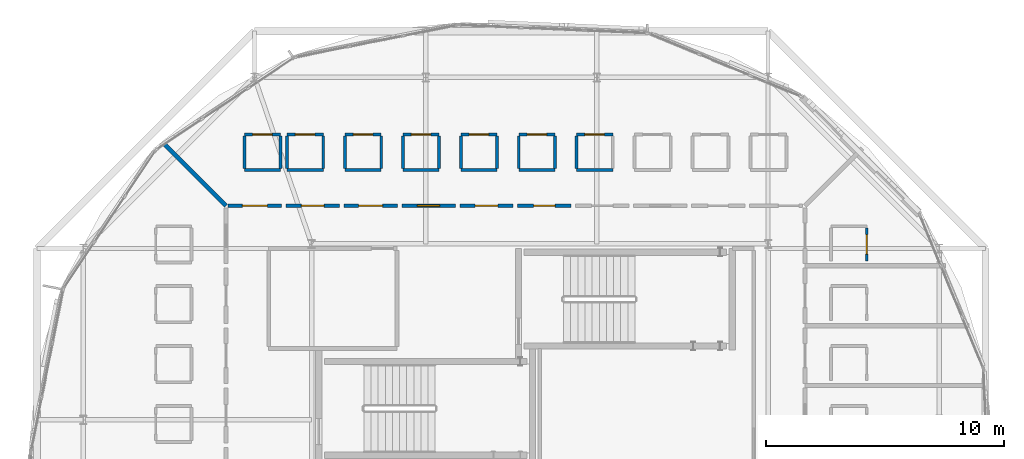
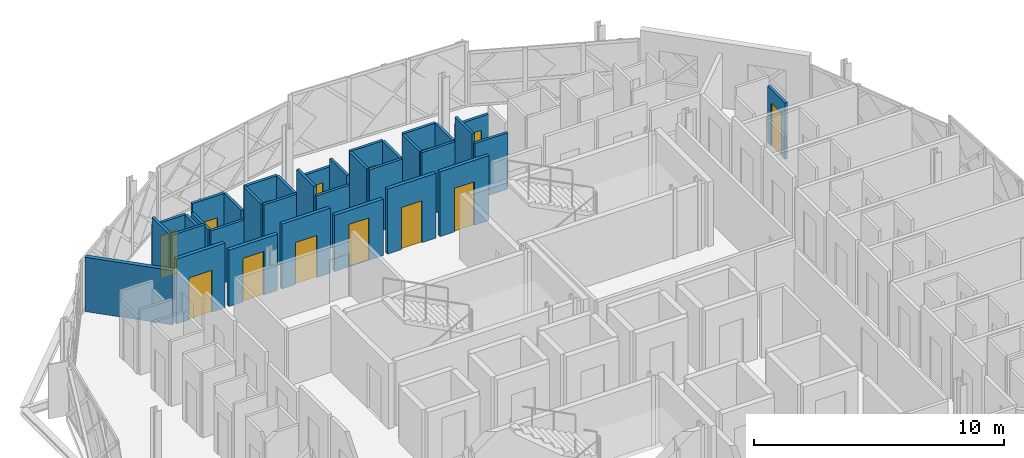
# One storey, part 18 of 24: 35 walls, 14 doors, 14 openings.
"""IFC4 building model written with IfcOpenShell, lengths in metres."""

from ifc_helpers import new_model, si_unit, direction, frame, frame_2d, origin, place, context, subcontext, project, spatial, rectangle, extrude, material, layer, layer_set, type_object, element, fill, save


model = new_model("IFC4")

# Units and contexts
model_context = context("Model", 3, precision=1e-05, world=origin(), true_north=direction((0.0, 1.0)))
body_context = subcontext(model_context, "Body", "Model", "MODEL_VIEW")
ifc_project = project(units=[si_unit("LENGTHUNIT", "METRE"), si_unit("AREAUNIT", "SQUARE_METRE"), si_unit("VOLUMEUNIT", "CUBIC_METRE"), si_unit("PLANEANGLEUNIT", "RADIAN"), si_unit("MASSUNIT", "GRAM", prefix="KILO")], contexts=[model_context])

# Site, building, storey
site_placement = place(None, origin())
site = spatial("IfcSite", under=ifc_project, at=site_placement, CompositionType="ELEMENT")
building_placement = place(site_placement, origin())
building = spatial("IfcBuilding", under=site, at=building_placement, Name="Zevrakil Square Congress Hotel", CompositionType="ELEMENT")
storey_placement = place(building_placement, frame((0.0, 0.0, 35.10009765625)))
storey = spatial("IfcBuildingStorey", under=building, at=storey_placement, Name="L10", CompositionType="ELEMENT", Elevation=35.10009765625)

# Wall, opening, door
ifc_material_1 = material(Name="Gypsum Acoustic Stud Partition")
ifc_layer_1 = layer(ifc_material_1, 0.159912109375)
ifc_layer_set_1 = layer_set([ifc_layer_1], Name="Gypsum Acoustic Stud Partition")
wall_type_1 = type_object("IfcWallType", Name="WAL-CORR-160", PredefinedType="PARTITIONING", material=ifc_layer_set_1)
wall_1_placement = place(storey_placement, frame((145.469970703125, 40.199951171875, 0.0), z_axis=(0.0, 0.0, 1.0), x_axis=(1.0, 0.0, 0.0)))
wall_1 = element("IfcWall", 1, at=wall_1_placement, inside=storey, type_object=wall_type_1, Name="L10 interior partition PW-L10-1696", PredefinedType="PARTITIONING", context=body_context, shape_type="SweptSolid", body=[
    extrude(rectangle(XDim=2.2451171875, YDim=0.159912109375, at=frame_2d((1.12255859375, 0.0))), origin(), (0.0, 0.0, 1.0), 3.164794921875),
])
opening_1_placement = place(wall_1_placement, frame((0.66650390625, 0.0, 0.0)))
opening_1 = element("IfcOpeningElement", 2, at=opening_1_placement, cuts=wall_1, Name="Opening ID-H06", PredefinedType="OPENING", context=body_context, shape_type="SweptSolid", body=[
    extrude(rectangle(XDim=0.912109375, YDim=2.1298828125, at=frame_2d((0.4560546875, 1.06494140625))), frame((0.0, 0.08984375, 0.0), z_axis=(0.0, -1.0, 0.0), x_axis=(1.0, 0.0, 0.0)), (0.0, 0.0, 1.0), 0.179931640625),
])
ifc_material_2 = material(Name="Acoustic Timber Fire Door", Category="wood")
door_type_1 = type_object("IfcDoorType", Name="DOR-INT-H06", OperationType="NOTDEFINED", PredefinedType="DOOR", material=ifc_material_2)
door_1_placement = place(opening_1_placement, origin())
door_1 = element("IfcDoor", 3, at=door_1_placement, inside=storey, type_object=door_type_1, Name="L10 interior door 659", OperationType="SINGLE_SWING_LEFT", OverallHeight=2.1298828125, OverallWidth=0.912109375, PredefinedType="DOOR", context=body_context, shape_type="SweptSolid", body=[
    extrude(rectangle(XDim=0.912109375, YDim=2.1298828125, at=frame_2d((0.4560546875, 1.06494140625))), frame((0.0, 0.02490234375, 0.0), z_axis=(0.0, -1.0, 0.0), x_axis=(1.0, 0.0, 0.0)), (0.0, 0.0, 1.0), 0.050048828125),
])
fill(opening_1, door_1)

wall_2_placement = place(storey_placement, frame((143.034912109375, 40.199951171875, 0.0), z_axis=(0.0, 0.0, 1.0), x_axis=(1.0, 0.0, 0.0)))
wall_2 = element("IfcWall", 4, at=wall_2_placement, inside=storey, type_object=wall_type_1, Name="L10 interior partition PW-L10-1701", PredefinedType="PARTITIONING", context=body_context, shape_type="SweptSolid", body=[
    extrude(rectangle(XDim=2.2451171875, YDim=0.159912109375, at=frame_2d((1.12255859375, 0.0))), origin(), (0.0, 0.0, 1.0), 3.164794921875),
])
opening_2_placement = place(wall_2_placement, frame((0.64501953125, 0.0, 0.0)))
opening_2 = element("IfcOpeningElement", 5, at=opening_2_placement, cuts=wall_2, Name="Opening ID-G05", PredefinedType="OPENING", context=body_context, shape_type="SweptSolid", body=[
    extrude(rectangle(XDim=0.955078125, YDim=2.050048828125, at=frame_2d((0.4775390625, 1.02490234375))), frame((0.0, 0.08984375, 0.0), z_axis=(0.0, -1.0, 0.0), x_axis=(1.0, 0.0, 0.0)), (0.0, 0.0, 1.0), 0.179931640625),
])
ifc_material_3 = material(Name="Acoustic Timber Fire Door", Category="wood")
door_type_2 = type_object("IfcDoorType", Name="DOR-INT-G05", OperationType="NOTDEFINED", PredefinedType="DOOR", material=ifc_material_3)
door_2_placement = place(opening_2_placement, origin())
door_2 = element("IfcDoor", 6, at=door_2_placement, inside=storey, type_object=door_type_2, Name="L10 interior door 661", OperationType="SINGLE_SWING_LEFT", OverallHeight=2.050048828125, OverallWidth=0.955078125, PredefinedType="DOOR", context=body_context, shape_type="SweptSolid", body=[
    extrude(rectangle(XDim=0.955078125, YDim=2.050048828125, at=frame_2d((0.4775390625, 1.02490234375))), frame((0.0, 0.02490234375, 0.0), z_axis=(0.0, -1.0, 0.0), x_axis=(1.0, 0.0, 0.0)), (0.0, 0.0, 1.0), 0.050048828125),
])
fill(opening_2, door_2)

wall_3_placement = place(storey_placement, frame((140.60009765625, 40.199951171875, 0.0), z_axis=(0.0, 0.0, 1.0), x_axis=(1.0, 0.0, 0.0)))
wall_3 = element("IfcWall", 7, at=wall_3_placement, inside=storey, type_object=wall_type_1, Name="L10 interior partition PW-L10-1706", PredefinedType="PARTITIONING", context=body_context, shape_type="SweptSolid", body=[
    extrude(rectangle(XDim=2.244873046875, YDim=0.159912109375, at=frame_2d((1.12255859375, 0.0))), origin(), (0.0, 0.0, 1.0), 2.75),
])
opening_3_placement = place(wall_3_placement, frame((0.654541015625, 0.0, 0.0)))
opening_3 = element("IfcOpeningElement", 8, at=opening_3_placement, cuts=wall_3, Name="Opening ID-H08", PredefinedType="OPENING", context=body_context, shape_type="SweptSolid", body=[
    extrude(rectangle(XDim=0.93603515625, YDim=2.070068359375, at=frame_2d((0.468017578125, 1.03515625))), frame((0.0, 0.08984375, 0.0), z_axis=(0.0, -1.0, 0.0), x_axis=(1.0, 0.0, 0.0)), (0.0, 0.0, 1.0), 0.179931640625),
])
ifc_material_4 = material(Name="Acoustic Timber Fire Door", Category="wood")
door_type_3 = type_object("IfcDoorType", Name="DOR-INT-H08", OperationType="NOTDEFINED", PredefinedType="DOOR", material=ifc_material_4)
door_3_placement = place(opening_3_placement, origin())
door_3 = element("IfcDoor", 9, at=door_3_placement, inside=storey, type_object=door_type_3, Name="L10 interior door 663", OperationType="SINGLE_SWING_LEFT", OverallHeight=2.070068359375, OverallWidth=0.93603515625, PredefinedType="DOOR", context=body_context, shape_type="SweptSolid", body=[
    extrude(rectangle(XDim=0.93603515625, YDim=2.070068359375, at=frame_2d((0.468017578125, 1.03515625))), frame((0.0, 0.02490234375, 0.0), z_axis=(0.0, -1.0, 0.0), x_axis=(1.0, 0.0, 0.0)), (0.0, 0.0, 1.0), 0.050048828125),
])
fill(opening_3, door_3)

wall_4_placement = place(storey_placement, frame((138.1650390625, 40.199951171875, 0.0), z_axis=(0.0, 0.0, 1.0), x_axis=(1.0, 0.0, 0.0)))
wall_4 = element("IfcWall", 10, at=wall_4_placement, inside=storey, type_object=wall_type_1, Name="L10 interior partition PW-L10-1711", PredefinedType="PARTITIONING", context=body_context, shape_type="SweptSolid", body=[
    extrude(rectangle(XDim=2.244873046875, YDim=0.159912109375, at=frame_2d((1.12255859375, 0.0))), origin(), (0.0, 0.0, 1.0), 3.164794921875),
])
opening_4_placement = place(wall_4_placement, frame((0.6201171875, 0.0, 0.0)))
opening_4 = element("IfcOpeningElement", 11, at=opening_4_placement, cuts=wall_4, Name="Opening ID-G07", PredefinedType="OPENING", context=body_context, shape_type="SweptSolid", body=[
    extrude(rectangle(XDim=1.0048828125, YDim=2.050048828125, at=frame_2d((0.50244140625, 1.02490234375))), frame((0.0, 0.08984375, 0.0), z_axis=(0.0, -1.0, 0.0), x_axis=(1.0, 0.0, 0.0)), (0.0, 0.0, 1.0), 0.179931640625),
])
ifc_material_5 = material(Name="Acoustic Timber Fire Door", Category="wood")
door_type_4 = type_object("IfcDoorType", Name="DOR-INT-G07", OperationType="NOTDEFINED", PredefinedType="DOOR", material=ifc_material_5)
door_4_placement = place(opening_4_placement, origin())
door_4 = element("IfcDoor", 12, at=door_4_placement, inside=storey, type_object=door_type_4, Name="L10 interior door 665", OperationType="SINGLE_SWING_LEFT", OverallHeight=2.050048828125, OverallWidth=1.0048828125, PredefinedType="DOOR", context=body_context, shape_type="SweptSolid", body=[
    extrude(rectangle(XDim=1.0048828125, YDim=2.050048828125, at=frame_2d((0.50244140625, 1.02490234375))), frame((0.0, 0.02490234375, 0.0), z_axis=(0.0, -1.0, 0.0), x_axis=(1.0, 0.0, 0.0)), (0.0, 0.0, 1.0), 0.050048828125),
])
fill(opening_4, door_4)

wall_5_placement = place(storey_placement, frame((135.72998046875, 40.199951171875, 0.0), z_axis=(0.0, 0.0, 1.0), x_axis=(1.0, 0.0, 0.0)))
wall_5 = element("IfcWall", 13, at=wall_5_placement, inside=storey, type_object=wall_type_1, Name="L10 interior partition PW-L10-1716", PredefinedType="PARTITIONING", context=body_context, shape_type="SweptSolid", body=[
    extrude(rectangle(XDim=2.2451171875, YDim=0.159912109375, at=frame_2d((1.12255859375, 0.0))), origin(), (0.0, 0.0, 1.0), 2.75),
])
opening_5_placement = place(wall_5_placement, frame((0.642578125, 0.0, 0.0)))
opening_5 = element("IfcOpeningElement", 14, at=opening_5_placement, cuts=wall_5, Name="Opening ID-H10", PredefinedType="OPENING", context=body_context, shape_type="SweptSolid", body=[
    extrude(rectangle(XDim=0.9599609375, YDim=2.1298828125, at=frame_2d((0.47998046875, 1.06494140625))), frame((0.0, 0.08984375, 0.0), z_axis=(0.0, -1.0, 0.0), x_axis=(1.0, 0.0, 0.0)), (0.0, 0.0, 1.0), 0.179931640625),
])
ifc_material_6 = material(Name="Acoustic Timber Fire Door", Category="wood")
door_type_5 = type_object("IfcDoorType", Name="DOR-INT-H10", OperationType="NOTDEFINED", PredefinedType="DOOR", material=ifc_material_6)
door_5_placement = place(opening_5_placement, origin())
door_5 = element("IfcDoor", 15, at=door_5_placement, inside=storey, type_object=door_type_5, Name="L10 interior door 667", OperationType="SINGLE_SWING_LEFT", OverallHeight=2.1298828125, OverallWidth=0.9599609375, PredefinedType="DOOR", context=body_context, shape_type="SweptSolid", body=[
    extrude(rectangle(XDim=0.9599609375, YDim=2.1298828125, at=frame_2d((0.47998046875, 1.06494140625))), frame((0.0, 0.02490234375, 0.0), z_axis=(0.0, -1.0, 0.0), x_axis=(1.0, 0.0, 0.0)), (0.0, 0.0, 1.0), 0.050048828125),
])
fill(opening_5, door_5)

wall_6_placement = place(storey_placement, frame((133.294921875, 40.199951171875, 0.0), z_axis=(0.0, 0.0, 1.0), x_axis=(1.0, 0.0, 0.0)))
wall_6 = element("IfcWall", 16, at=wall_6_placement, inside=storey, type_object=wall_type_1, Name="L10 interior partition PW-L10-1721", PredefinedType="PARTITIONING", context=body_context, shape_type="SweptSolid", body=[
    extrude(rectangle(XDim=2.2451171875, YDim=0.159912109375, at=frame_2d((1.12255859375, 0.0))), origin(), (0.0, 0.0, 1.0), 3.164794921875),
])
opening_6_placement = place(wall_6_placement, frame((0.594970703125, 0.0, 0.0)))
opening_6 = element("IfcOpeningElement", 17, at=opening_6_placement, cuts=wall_6, Name="Opening ID-G09", PredefinedType="OPENING", context=body_context, shape_type="SweptSolid", body=[
    extrude(rectangle(XDim=1.054931640625, YDim=2.050048828125, at=frame_2d((0.52734375, 1.02490234375))), frame((0.0, 0.08984375, 0.0), z_axis=(0.0, -1.0, 0.0), x_axis=(1.0, 0.0, 0.0)), (0.0, 0.0, 1.0), 0.179931640625),
])
ifc_material_7 = material(Name="Acoustic Timber Fire Door", Category="wood")
door_type_6 = type_object("IfcDoorType", Name="DOR-INT-G09", OperationType="NOTDEFINED", PredefinedType="DOOR", material=ifc_material_7)
door_6_placement = place(opening_6_placement, origin())
door_6 = element("IfcDoor", 18, at=door_6_placement, inside=storey, type_object=door_type_6, Name="L10 interior door 669", OperationType="SINGLE_SWING_LEFT", OverallHeight=2.050048828125, OverallWidth=1.054931640625, PredefinedType="DOOR", context=body_context, shape_type="SweptSolid", body=[
    extrude(rectangle(XDim=1.054931640625, YDim=2.050048828125, at=frame_2d((0.52734375, 1.02490234375))), frame((0.0, 0.02490234375, 0.0), z_axis=(0.0, -1.0, 0.0), x_axis=(1.0, 0.0, 0.0)), (0.0, 0.0, 1.0), 0.050048828125),
])
fill(opening_6, door_6)

ifc_material_8 = material(Name="Moisture-Resistant Gypsum Partition")
ifc_layer_2 = layer(ifc_material_8, 0.1201171875)
ifc_layer_set_2 = layer_set([ifc_layer_2], Name="Moisture-Resistant Gypsum Partition")
wall_type_2 = type_object("IfcWallType", Name="WAL-ENS-120", PredefinedType="PARTITIONING", material=ifc_layer_set_2)
wall_7_placement = place(storey_placement, frame((160.14990234375, 37.885009765625, 0.0), z_axis=(0.0, 0.0, 1.0), x_axis=(0.0, 1.0, 0.0)))
wall_7 = element("IfcWall", 19, at=wall_7_placement, inside=storey, type_object=wall_type_2, Name="L10 interior partition PW-L10-1674", PredefinedType="PARTITIONING", context=body_context, shape_type="SweptSolid", body=[
    extrude(rectangle(XDim=1.389892578125, YDim=0.1201171875, at=frame_2d((0.69482421875, 0.0))), origin(), (0.0, 0.0, 1.0), 2.75),
])
opening_7_placement = place(wall_7_placement, frame((0.284912109375, 0.0, 0.0)))
opening_7 = element("IfcOpeningElement", 20, at=opening_7_placement, cuts=wall_7, Name="Opening ID-11", PredefinedType="OPENING", context=body_context, shape_type="SweptSolid", body=[
    extrude(rectangle(XDim=0.820068359375, YDim=2.080078125, at=frame_2d((0.41015625, 1.0400390625))), frame((0.0, 0.070068359375, 0.0), z_axis=(0.0, -1.0, 0.0), x_axis=(1.0, 0.0, 0.0)), (0.0, 0.0, 1.0), 0.14013671875),
])
ifc_material_9 = material(Name="Acoustic Timber Door", Category="wood")
door_type_7 = type_object("IfcDoorType", Name="DOR-INT-V01", OperationType="NOTDEFINED", PredefinedType="DOOR", material=ifc_material_9)
door_7_placement = place(opening_7_placement, origin())
door_7 = element("IfcDoor", 21, at=door_7_placement, inside=storey, type_object=door_type_7, Name="L10 interior door 650", OperationType="SINGLE_SWING_RIGHT", OverallHeight=2.080078125, OverallWidth=0.820068359375, PredefinedType="DOOR", context=body_context, shape_type="SweptSolid", body=[
    extrude(rectangle(XDim=0.820068359375, YDim=2.080078125, at=frame_2d((0.41015625, 1.0400390625))), frame((0.0, 0.02490234375, 0.0), z_axis=(0.0, -1.0, 0.0), x_axis=(1.0, 0.0, 0.0)), (0.0, 0.0, 1.0), 0.050048828125),
])
fill(opening_7, door_7)

# Wall
wall_8_placement = place(storey_placement, frame((147.949951171875, 41.699951171875, 0.0), z_axis=(0.0, 0.0, 1.0), x_axis=(1.0, 0.0, 0.0)))
element("IfcWall", 22, at=wall_8_placement, inside=storey, type_object=wall_type_2, Name="L10 interior partition PW-L10-1692", PredefinedType="PARTITIONING", context=body_context, shape_type="SweptSolid", body=[
    extrude(rectangle(XDim=1.52001953125, YDim=0.1201171875, at=frame_2d((0.760009765625, 0.0))), origin(), (0.0, 0.0, 1.0), 2.75),
])

# Wall, opening, door
wall_9_placement = place(storey_placement, frame((147.949951171875, 43.199951171875, 0.0), z_axis=(0.0, 0.0, 1.0), x_axis=(1.0, 0.0, 0.0)))
wall_9 = element("IfcWall", 23, at=wall_9_placement, inside=storey, type_object=wall_type_2, Name="L10 interior partition PW-L10-1693", PredefinedType="PARTITIONING", context=body_context, shape_type="SweptSolid", body=[
    extrude(rectangle(XDim=1.52001953125, YDim=0.1201171875, at=frame_2d((0.760009765625, 0.0))), origin(), (0.0, 0.0, 1.0), 2.75),
])
opening_8_placement = place(wall_9_placement, frame((0.35009765625, 0.0, 0.0)))
opening_8 = element("IfcOpeningElement", 24, at=opening_8_placement, cuts=wall_9, Name="Opening ID-11", PredefinedType="OPENING", context=body_context, shape_type="SweptSolid", body=[
    extrude(rectangle(XDim=0.820068359375, YDim=2.080078125, at=frame_2d((0.41015625, 1.0400390625))), frame((0.0, 0.070068359375, 0.0), z_axis=(0.0, -1.0, 0.0), x_axis=(1.0, 0.0, 0.0)), (0.0, 0.0, 1.0), 0.14013671875),
])
door_8_placement = place(opening_8_placement, origin())
door_8 = element("IfcDoor", 25, at=door_8_placement, inside=storey, type_object=door_type_7, Name="L10 interior door 658", OperationType="SINGLE_SWING_RIGHT", OverallHeight=2.080078125, OverallWidth=0.820068359375, PredefinedType="DOOR", context=body_context, shape_type="SweptSolid", body=[
    extrude(rectangle(XDim=0.820068359375, YDim=2.080078125, at=frame_2d((0.41015625, 1.0400390625))), frame((0.0, 0.02490234375, 0.0), z_axis=(0.0, -1.0, 0.0), x_axis=(1.0, 0.0, 0.0)), (0.0, 0.0, 1.0), 0.050048828125),
])
fill(opening_8, door_8)

# Walls
wall_10_placement = place(storey_placement, frame((147.949951171875, 41.764892578125, 0.0), z_axis=(0.0, 0.0, 1.0), x_axis=(0.0, 1.0, 0.0)))
element("IfcWall", 26, at=wall_10_placement, inside=storey, type_object=wall_type_2, Name="L10 interior partition PW-L10-1694", PredefinedType="PARTITIONING", context=body_context, shape_type="SweptSolid", body=[
    extrude(rectangle(XDim=1.3701171875, YDim=0.1201171875, at=frame_2d((0.68505859375, 0.0))), origin(), (0.0, 0.0, 1.0), 3.164794921875),
])
wall_11_placement = place(storey_placement, frame((145.514892578125, 41.699951171875, 0.0), z_axis=(0.0, 0.0, 1.0), x_axis=(1.0, 0.0, 0.0)))
element("IfcWall", 27, at=wall_11_placement, inside=storey, type_object=wall_type_2, Name="L10 interior partition PW-L10-1697", PredefinedType="PARTITIONING", context=body_context, shape_type="SweptSolid", body=[
    extrude(rectangle(XDim=1.52001953125, YDim=0.1201171875, at=frame_2d((0.760009765625, 0.0))), origin(), (0.0, 0.0, 1.0), 3.164794921875),
])

# Wall, opening, door
wall_12_placement = place(storey_placement, frame((145.514892578125, 43.199951171875, 0.0), z_axis=(0.0, 0.0, 1.0), x_axis=(1.0, 0.0, 0.0)))
wall_12 = element("IfcWall", 28, at=wall_12_placement, inside=storey, type_object=wall_type_2, Name="L10 interior partition PW-L10-1698", PredefinedType="PARTITIONING", context=body_context, shape_type="SweptSolid", body=[
    extrude(rectangle(XDim=1.52001953125, YDim=0.1201171875, at=frame_2d((0.760009765625, 0.0))), origin(), (0.0, 0.0, 1.0), 3.164794921875),
])
opening_9_placement = place(wall_12_placement, frame((0.35009765625, 0.0, 0.0)))
opening_9 = element("IfcOpeningElement", 29, at=opening_9_placement, cuts=wall_12, Name="Opening ID-11", PredefinedType="OPENING", context=body_context, shape_type="SweptSolid", body=[
    extrude(rectangle(XDim=0.820068359375, YDim=2.080078125, at=frame_2d((0.41015625, 1.0400390625))), frame((0.0, 0.070068359375, 0.0), z_axis=(0.0, -1.0, 0.0), x_axis=(1.0, 0.0, 0.0)), (0.0, 0.0, 1.0), 0.14013671875),
])
door_9_placement = place(opening_9_placement, origin())
door_9 = element("IfcDoor", 30, at=door_9_placement, inside=storey, type_object=door_type_7, Name="L10 interior door 660", OperationType="SINGLE_SWING_RIGHT", OverallHeight=2.080078125, OverallWidth=0.820068359375, PredefinedType="DOOR", context=body_context, shape_type="SweptSolid", body=[
    extrude(rectangle(XDim=0.820068359375, YDim=2.080078125, at=frame_2d((0.41015625, 1.0400390625))), frame((0.0, 0.02490234375, 0.0), z_axis=(0.0, -1.0, 0.0), x_axis=(1.0, 0.0, 0.0)), (0.0, 0.0, 1.0), 0.050048828125),
])
fill(opening_9, door_9)

# Walls
for number, where, z_axis, x_axis, name in (
    (31, (145.514892578125, 41.764892578125, 0.0), (0.0, 0.0, 1.0), (0.0, 1.0, 0.0), "L10 interior partition PW-L10-1699"),
    (32, (147.034912109375, 41.764892578125, 0.0), (0.0, 0.0, 1.0), (0.0, 1.0, 0.0), "L10 interior partition PW-L10-1700"),
):
    element("IfcWall", number, at=place(storey_placement, frame(where, z_axis=z_axis, x_axis=x_axis)), inside=storey, type_object=wall_type_2, Name=name, PredefinedType="PARTITIONING", context=body_context, shape_type="SweptSolid", body=[
        extrude(rectangle(XDim=1.3701171875, YDim=0.1201171875, at=frame_2d((0.68505859375, 0.0))), origin(), (0.0, 0.0, 1.0), 3.164794921875),
    ])
wall_13_placement = place(storey_placement, frame((143.080078125, 41.699951171875, 0.0), z_axis=(0.0, 0.0, 1.0), x_axis=(1.0, 0.0, 0.0)))
element("IfcWall", 33, at=wall_13_placement, inside=storey, type_object=wall_type_2, Name="L10 interior partition PW-L10-1702", PredefinedType="PARTITIONING", context=body_context, shape_type="SweptSolid", body=[
    extrude(rectangle(XDim=1.52001953125, YDim=0.1201171875, at=frame_2d((0.760009765625, 0.0))), origin(), (0.0, 0.0, 1.0), 3.164794921875),
])

# Wall, opening, door
wall_14_placement = place(storey_placement, frame((143.080078125, 43.199951171875, 0.0), z_axis=(0.0, 0.0, 1.0), x_axis=(1.0, 0.0, 0.0)))
wall_14 = element("IfcWall", 34, at=wall_14_placement, inside=storey, type_object=wall_type_2, Name="L10 interior partition PW-L10-1703", PredefinedType="PARTITIONING", context=body_context, shape_type="SweptSolid", body=[
    extrude(rectangle(XDim=1.52001953125, YDim=0.1201171875, at=frame_2d((0.760009765625, 0.0))), origin(), (0.0, 0.0, 1.0), 3.164794921875),
])
opening_10_placement = place(wall_14_placement, frame((0.35009765625, 0.0, 0.0)))
opening_10 = element("IfcOpeningElement", 35, at=opening_10_placement, cuts=wall_14, Name="Opening ID-11", PredefinedType="OPENING", context=body_context, shape_type="SweptSolid", body=[
    extrude(rectangle(XDim=0.820068359375, YDim=2.080078125, at=frame_2d((0.41015625, 1.0400390625))), frame((0.0, 0.070068359375, 0.0), z_axis=(0.0, -1.0, 0.0), x_axis=(1.0, 0.0, 0.0)), (0.0, 0.0, 1.0), 0.14013671875),
])
door_10_placement = place(opening_10_placement, origin())
door_10 = element("IfcDoor", 36, at=door_10_placement, inside=storey, type_object=door_type_7, Name="L10 interior door 662", OperationType="SINGLE_SWING_RIGHT", OverallHeight=2.080078125, OverallWidth=0.820068359375, PredefinedType="DOOR", context=body_context, shape_type="SweptSolid", body=[
    extrude(rectangle(XDim=0.820068359375, YDim=2.080078125, at=frame_2d((0.41015625, 1.0400390625))), frame((0.0, 0.02490234375, 0.0), z_axis=(0.0, -1.0, 0.0), x_axis=(1.0, 0.0, 0.0)), (0.0, 0.0, 1.0), 0.050048828125),
])
fill(opening_10, door_10)

# Walls
for number, where, z_axis, x_axis, name in (
    (37, (143.080078125, 41.764892578125, 0.0), (0.0, 0.0, 1.0), (0.0, 1.0, 0.0), "L10 interior partition PW-L10-1704"),
    (38, (144.60009765625, 41.764892578125, 0.0), (0.0, 0.0, 1.0), (0.0, 1.0, 0.0), "L10 interior partition PW-L10-1705"),
):
    element("IfcWall", number, at=place(storey_placement, frame(where, z_axis=z_axis, x_axis=x_axis)), inside=storey, type_object=wall_type_2, Name=name, PredefinedType="PARTITIONING", context=body_context, shape_type="SweptSolid", body=[
        extrude(rectangle(XDim=1.3701171875, YDim=0.1201171875, at=frame_2d((0.68505859375, 0.0))), origin(), (0.0, 0.0, 1.0), 3.164794921875),
    ])
wall_15_placement = place(storey_placement, frame((140.64501953125, 41.699951171875, 0.0), z_axis=(0.0, 0.0, 1.0), x_axis=(1.0, 0.0, 0.0)))
element("IfcWall", 39, at=wall_15_placement, inside=storey, type_object=wall_type_2, Name="L10 interior partition PW-L10-1707", PredefinedType="PARTITIONING", context=body_context, shape_type="SweptSolid", body=[
    extrude(rectangle(XDim=1.52001953125, YDim=0.1201171875, at=frame_2d((0.760009765625, 0.0))), origin(), (0.0, 0.0, 1.0), 2.75),
])

# Wall, opening, door
wall_16_placement = place(storey_placement, frame((140.64501953125, 43.199951171875, 0.0), z_axis=(0.0, 0.0, 1.0), x_axis=(1.0, 0.0, 0.0)))
wall_16 = element("IfcWall", 40, at=wall_16_placement, inside=storey, type_object=wall_type_2, Name="L10 interior partition PW-L10-1708", PredefinedType="PARTITIONING", context=body_context, shape_type="SweptSolid", body=[
    extrude(rectangle(XDim=1.52001953125, YDim=0.1201171875, at=frame_2d((0.760009765625, 0.0))), origin(), (0.0, 0.0, 1.0), 2.75),
])
opening_11_placement = place(wall_16_placement, frame((0.35009765625, 0.0, 0.0)))
opening_11 = element("IfcOpeningElement", 41, at=opening_11_placement, cuts=wall_16, Name="Opening ID-11", PredefinedType="OPENING", context=body_context, shape_type="SweptSolid", body=[
    extrude(rectangle(XDim=0.820068359375, YDim=2.080078125, at=frame_2d((0.41015625, 1.0400390625))), frame((0.0, 0.070068359375, 0.0), z_axis=(0.0, -1.0, 0.0), x_axis=(1.0, 0.0, 0.0)), (0.0, 0.0, 1.0), 0.14013671875),
])
door_11_placement = place(opening_11_placement, origin())
door_11 = element("IfcDoor", 42, at=door_11_placement, inside=storey, type_object=door_type_7, Name="L10 interior door 664", OperationType="SINGLE_SWING_RIGHT", OverallHeight=2.080078125, OverallWidth=0.820068359375, PredefinedType="DOOR", context=body_context, shape_type="SweptSolid", body=[
    extrude(rectangle(XDim=0.820068359375, YDim=2.080078125, at=frame_2d((0.41015625, 1.0400390625))), frame((0.0, 0.02490234375, 0.0), z_axis=(0.0, -1.0, 0.0), x_axis=(1.0, 0.0, 0.0)), (0.0, 0.0, 1.0), 0.050048828125),
])
fill(opening_11, door_11)

# Walls
for number, where, z_axis, x_axis, name in (
    (43, (140.64501953125, 41.764892578125, 0.0), (0.0, 0.0, 1.0), (0.0, 1.0, 0.0), "L10 interior partition PW-L10-1709"),
    (44, (142.1650390625, 41.764892578125, 0.0), (0.0, 0.0, 1.0), (0.0, 1.0, 0.0), "L10 interior partition PW-L10-1710"),
):
    element("IfcWall", number, at=place(storey_placement, frame(where, z_axis=z_axis, x_axis=x_axis)), inside=storey, type_object=wall_type_2, Name=name, PredefinedType="PARTITIONING", context=body_context, shape_type="SweptSolid", body=[
        extrude(rectangle(XDim=1.3701171875, YDim=0.1201171875, at=frame_2d((0.68505859375, 0.0))), origin(), (0.0, 0.0, 1.0), 3.164794921875),
    ])
wall_17_placement = place(storey_placement, frame((138.2099609375, 41.699951171875, 0.0), z_axis=(0.0, 0.0, 1.0), x_axis=(1.0, 0.0, 0.0)))
element("IfcWall", 45, at=wall_17_placement, inside=storey, type_object=wall_type_2, Name="L10 interior partition PW-L10-1712", PredefinedType="PARTITIONING", context=body_context, shape_type="SweptSolid", body=[
    extrude(rectangle(XDim=1.52001953125, YDim=0.1201171875, at=frame_2d((0.760009765625, 0.0))), origin(), (0.0, 0.0, 1.0), 3.164794921875),
])

# Wall, opening, door
wall_18_placement = place(storey_placement, frame((138.2099609375, 43.199951171875, 0.0), z_axis=(0.0, 0.0, 1.0), x_axis=(1.0, 0.0, 0.0)))
wall_18 = element("IfcWall", 46, at=wall_18_placement, inside=storey, type_object=wall_type_2, Name="L10 interior partition PW-L10-1713", PredefinedType="PARTITIONING", context=body_context, shape_type="SweptSolid", body=[
    extrude(rectangle(XDim=1.52001953125, YDim=0.1201171875, at=frame_2d((0.760009765625, 0.0))), origin(), (0.0, 0.0, 1.0), 3.164794921875),
])
opening_12_placement = place(wall_18_placement, frame((0.35009765625, 0.0, 0.0)))
opening_12 = element("IfcOpeningElement", 47, at=opening_12_placement, cuts=wall_18, Name="Opening ID-11", PredefinedType="OPENING", context=body_context, shape_type="SweptSolid", body=[
    extrude(rectangle(XDim=0.820068359375, YDim=2.080078125, at=frame_2d((0.41015625, 1.0400390625))), frame((0.0, 0.070068359375, 0.0), z_axis=(0.0, -1.0, 0.0), x_axis=(1.0, 0.0, 0.0)), (0.0, 0.0, 1.0), 0.14013671875),
])
door_12_placement = place(opening_12_placement, origin())
door_12 = element("IfcDoor", 48, at=door_12_placement, inside=storey, type_object=door_type_7, Name="L10 interior door 666", OperationType="SINGLE_SWING_RIGHT", OverallHeight=2.080078125, OverallWidth=0.820068359375, PredefinedType="DOOR", context=body_context, shape_type="SweptSolid", body=[
    extrude(rectangle(XDim=0.820068359375, YDim=2.080078125, at=frame_2d((0.41015625, 1.0400390625))), frame((0.0, 0.02490234375, 0.0), z_axis=(0.0, -1.0, 0.0), x_axis=(1.0, 0.0, 0.0)), (0.0, 0.0, 1.0), 0.050048828125),
])
fill(opening_12, door_12)

# Walls
for number, where, z_axis, x_axis, name in (
    (49, (138.2099609375, 41.764892578125, 0.0), (0.0, 0.0, 1.0), (0.0, 1.0, 0.0), "L10 interior partition PW-L10-1714"),
    (50, (139.72998046875, 41.764892578125, 0.0), (0.0, 0.0, 1.0), (0.0, 1.0, 0.0), "L10 interior partition PW-L10-1715"),
):
    element("IfcWall", number, at=place(storey_placement, frame(where, z_axis=z_axis, x_axis=x_axis)), inside=storey, type_object=wall_type_2, Name=name, PredefinedType="PARTITIONING", context=body_context, shape_type="SweptSolid", body=[
        extrude(rectangle(XDim=1.3701171875, YDim=0.1201171875, at=frame_2d((0.68505859375, 0.0))), origin(), (0.0, 0.0, 1.0), 3.164794921875),
    ])
wall_19_placement = place(storey_placement, frame((135.77490234375, 41.699951171875, 0.0), z_axis=(0.0, 0.0, 1.0), x_axis=(1.0, 0.0, 0.0)))
element("IfcWall", 51, at=wall_19_placement, inside=storey, type_object=wall_type_2, Name="L10 interior partition PW-L10-1717", PredefinedType="PARTITIONING", context=body_context, shape_type="SweptSolid", body=[
    extrude(rectangle(XDim=1.52001953125, YDim=0.1201171875, at=frame_2d((0.760009765625, 0.0))), origin(), (0.0, 0.0, 1.0), 2.75),
])

# Wall, opening, door
wall_20_placement = place(storey_placement, frame((135.77490234375, 43.199951171875, 0.0), z_axis=(0.0, 0.0, 1.0), x_axis=(1.0, 0.0, 0.0)))
wall_20 = element("IfcWall", 52, at=wall_20_placement, inside=storey, type_object=wall_type_2, Name="L10 interior partition PW-L10-1718", PredefinedType="PARTITIONING", context=body_context, shape_type="SweptSolid", body=[
    extrude(rectangle(XDim=1.52001953125, YDim=0.1201171875, at=frame_2d((0.760009765625, 0.0))), origin(), (0.0, 0.0, 1.0), 3.164794921875),
])
opening_13_placement = place(wall_20_placement, frame((0.35009765625, 0.0, 0.0)))
opening_13 = element("IfcOpeningElement", 53, at=opening_13_placement, cuts=wall_20, Name="Opening ID-11", PredefinedType="OPENING", context=body_context, shape_type="SweptSolid", body=[
    extrude(rectangle(XDim=0.820068359375, YDim=2.080078125, at=frame_2d((0.41015625, 1.0400390625))), frame((0.0, 0.070068359375, 0.0), z_axis=(0.0, -1.0, 0.0), x_axis=(1.0, 0.0, 0.0)), (0.0, 0.0, 1.0), 0.14013671875),
])
door_13_placement = place(opening_13_placement, origin())
door_13 = element("IfcDoor", 54, at=door_13_placement, inside=storey, type_object=door_type_7, Name="L10 interior door 668", OperationType="SINGLE_SWING_RIGHT", OverallHeight=2.080078125, OverallWidth=0.820068359375, PredefinedType="DOOR", context=body_context, shape_type="SweptSolid", body=[
    extrude(rectangle(XDim=0.820068359375, YDim=2.080078125, at=frame_2d((0.41015625, 1.0400390625))), frame((0.0, 0.02490234375, 0.0), z_axis=(0.0, -1.0, 0.0), x_axis=(1.0, 0.0, 0.0)), (0.0, 0.0, 1.0), 0.050048828125),
])
fill(opening_13, door_13)

# Walls
wall_21_placement = place(storey_placement, frame((135.77490234375, 41.764892578125, 0.0), z_axis=(0.0, 0.0, 1.0), x_axis=(0.0, 1.0, 0.0)))
element("IfcWall", 55, at=wall_21_placement, inside=storey, type_object=wall_type_2, Name="L10 interior partition PW-L10-1719", PredefinedType="PARTITIONING", context=body_context, shape_type="SweptSolid", body=[
    extrude(rectangle(XDim=1.3701171875, YDim=0.1201171875, at=frame_2d((0.68505859375, 0.0))), origin(), (0.0, 0.0, 1.0), 2.75),
])
wall_22_placement = place(storey_placement, frame((137.294921875, 41.764892578125, 0.0), z_axis=(0.0, 0.0, 1.0), x_axis=(0.0, 1.0, 0.0)))
element("IfcWall", 56, at=wall_22_placement, inside=storey, type_object=wall_type_2, Name="L10 interior partition PW-L10-1720", PredefinedType="PARTITIONING", context=body_context, shape_type="SweptSolid", body=[
    extrude(rectangle(XDim=1.3701171875, YDim=0.1201171875, at=frame_2d((0.68505859375, 0.0))), origin(), (0.0, 0.0, 1.0), 3.164794921875),
])
wall_23_placement = place(storey_placement, frame((133.97509765625, 41.699951171875, 0.0), z_axis=(0.0, 0.0, 1.0), x_axis=(1.0, 0.0, 0.0)))
element("IfcWall", 57, at=wall_23_placement, inside=storey, type_object=wall_type_2, Name="L10 interior partition PW-L10-1722", PredefinedType="PARTITIONING", context=body_context, shape_type="SweptSolid", body=[
    extrude(rectangle(XDim=1.52001953125, YDim=0.1201171875, at=frame_2d((0.760009765625, 0.0))), origin(), (0.0, 0.0, 1.0), 3.164794921875),
])

# Wall, opening, door
wall_24_placement = place(storey_placement, frame((133.97509765625, 43.199951171875, 0.0), z_axis=(0.0, 0.0, 1.0), x_axis=(1.0, 0.0, 0.0)))
wall_24 = element("IfcWall", 58, at=wall_24_placement, inside=storey, type_object=wall_type_2, Name="L10 interior partition PW-L10-1723", PredefinedType="PARTITIONING", context=body_context, shape_type="SweptSolid", body=[
    extrude(rectangle(XDim=1.52001953125, YDim=0.1201171875, at=frame_2d((0.760009765625, 0.0))), origin(), (0.0, 0.0, 1.0), 2.75),
])
opening_14_placement = place(wall_24_placement, frame((0.35009765625, 0.0, 0.0)))
opening_14 = element("IfcOpeningElement", 59, at=opening_14_placement, cuts=wall_24, Name="Opening ID-11", PredefinedType="OPENING", context=body_context, shape_type="SweptSolid", body=[
    extrude(rectangle(XDim=0.820068359375, YDim=2.080078125, at=frame_2d((0.41015625, 1.0400390625))), frame((0.0, 0.070068359375, 0.0), z_axis=(0.0, -1.0, 0.0), x_axis=(1.0, 0.0, 0.0)), (0.0, 0.0, 1.0), 0.14013671875),
])
door_14_placement = place(opening_14_placement, origin())
door_14 = element("IfcDoor", 60, at=door_14_placement, inside=storey, type_object=door_type_7, Name="L10 interior door 670", OperationType="SINGLE_SWING_RIGHT", OverallHeight=2.080078125, OverallWidth=0.820068359375, PredefinedType="DOOR", context=body_context, shape_type="SweptSolid", body=[
    extrude(rectangle(XDim=0.820068359375, YDim=2.080078125, at=frame_2d((0.41015625, 1.0400390625))), frame((0.0, 0.02490234375, 0.0), z_axis=(0.0, -1.0, 0.0), x_axis=(1.0, 0.0, 0.0)), (0.0, 0.0, 1.0), 0.050048828125),
])
fill(opening_14, door_14)

# Walls
wall_25_placement = place(storey_placement, frame((133.97509765625, 41.764892578125, 0.0), z_axis=(0.0, 0.0, 1.0), x_axis=(0.0, 1.0, 0.0)))
element("IfcWall", 61, at=wall_25_placement, inside=storey, type_object=wall_type_2, Name="L10 interior partition PW-L10-1724", PredefinedType="PARTITIONING", context=body_context, shape_type="SweptSolid", body=[
    extrude(rectangle(XDim=1.3701171875, YDim=0.1201171875, at=frame_2d((0.68505859375, 0.0))), origin(), (0.0, 0.0, 1.0), 3.164794921875),
])
wall_26_placement = place(storey_placement, frame((135.4951171875, 41.764892578125, 0.0), z_axis=(0.0, 0.0, 1.0), x_axis=(0.0, 1.0, 0.0)))
element("IfcWall", 62, at=wall_26_placement, inside=storey, type_object=wall_type_2, Name="L10 interior partition PW-L10-1725", PredefinedType="PARTITIONING", context=body_context, shape_type="SweptSolid", body=[
    extrude(rectangle(XDim=1.3701171875, YDim=0.1201171875, at=frame_2d((0.68505859375, 0.0))), origin(), (0.0, 0.0, 1.0), 2.75),
])
ifc_material_10 = material(Name="Gypsum Twin-Stud Party Partition")
ifc_layer_3 = layer(ifc_material_10, 0.179931640625)
ifc_layer_set_3 = layer_set([ifc_layer_3], Name="Gypsum Twin-Stud Party Partition")
wall_type_3 = type_object("IfcWallType", Name="WAL-PARTY-180", PredefinedType="PARTITIONING", material=ifc_layer_set_3)
wall_27_placement = place(storey_placement, frame((133.199951171875, 40.199951171875, 0.0), z_axis=(0.0, 0.0, 1.0), x_axis=(-0.707073206163, 0.707140354616, 0.0)))
element("IfcWall", 63, at=wall_27_placement, inside=storey, type_object=wall_type_3, Name="L10 interior partition PW-L10-1726", PredefinedType="PARTITIONING", context=body_context, shape_type="SweptSolid", body=[
    extrude(rectangle(XDim=3.6357421875, YDim=0.179931640625, at=frame_2d((1.81787109375, 0.0))), origin(), (0.0, 0.0, 1.0), 2.64990234375),
])

save(model, "model.ifc")
